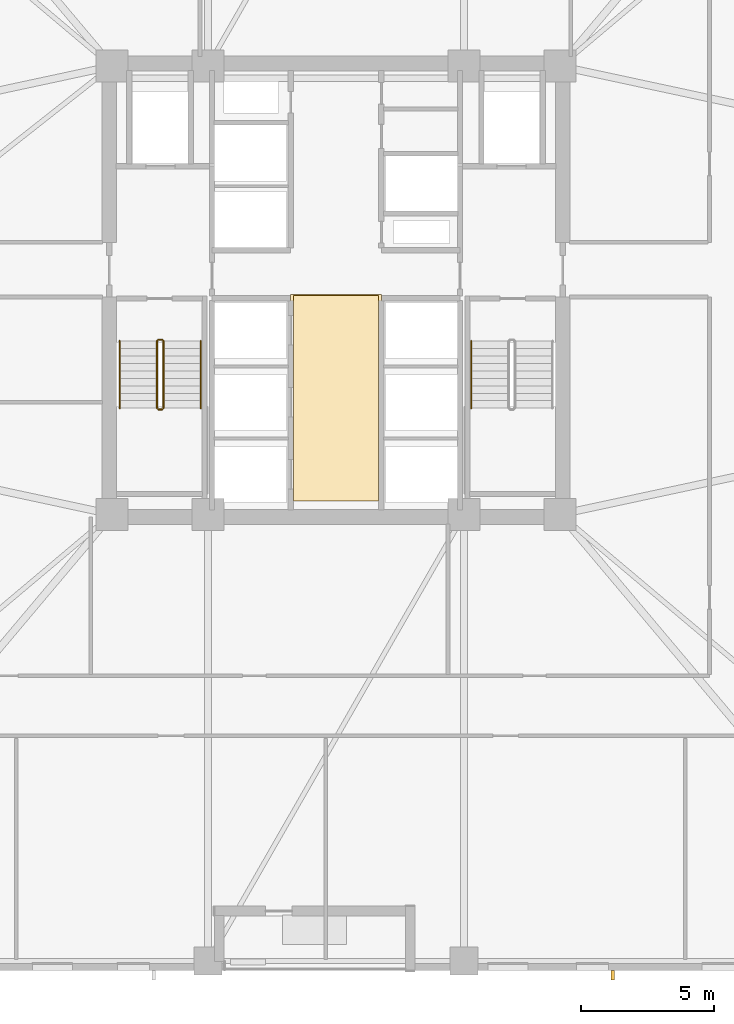
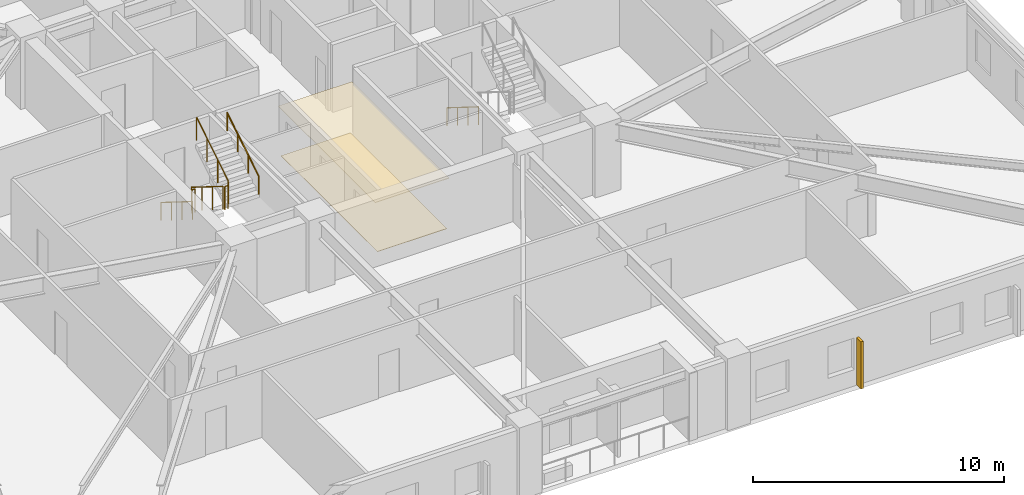
# One storey, part 8 of 11: 7 railings, 2 coverings, 1 shading device.
"""IFC4 building model written with IfcOpenShell, lengths in metres."""

from ifc_helpers import new_model, si_unit, direction, frame, origin, origin_2d, place, context, subcontext, project, spatial, polyline, rectangle, circle, outline, extrude, material, layer, layer_set, type_object, element, save


model = new_model("IFC4")

# Units and contexts
model_context = context("Model", 3, precision=1e-05, world=origin(), true_north=direction((0.0, 1.0)))
body_context = subcontext(model_context, "Body", "Model", "MODEL_VIEW")
ifc_project = project(units=[si_unit("LENGTHUNIT", "METRE"), si_unit("AREAUNIT", "SQUARE_METRE"), si_unit("VOLUMEUNIT", "CUBIC_METRE"), si_unit("PLANEANGLEUNIT", "RADIAN"), si_unit("MASSUNIT", "GRAM", prefix="KILO")], contexts=[model_context])

# Site, building, storey
site_placement = place(None, origin())
site = spatial("IfcSite", under=ifc_project, at=site_placement, CompositionType="ELEMENT")
building_placement = place(site_placement, origin())
building = spatial("IfcBuilding", under=site, at=building_placement, Name="Cairnveth Concourse Tower", CompositionType="ELEMENT")
storey_placement = place(building_placement, frame((0.0, 0.0, 34.0)))
storey = spatial("IfcBuildingStorey", under=building, at=storey_placement, Name="L08", CompositionType="ELEMENT", Elevation=34.0)

# Covering
ifc_material_1 = material(Name="Acoustic Mineral Fibre Ceiling", Category="gypsum")
ifc_layer_1 = layer(ifc_material_1, 0.02490234375)
ifc_layer_set_1 = layer_set([ifc_layer_1], Name="Acoustic Mineral Fibre Ceiling")
covering_type_1 = type_object("IfcCoveringType", Name="ACOUSTIC MINERAL FIBRE CEILING 25", PredefinedType="CEILING", material=ifc_layer_set_1)
covering_1_placement = place(storey_placement, frame((0.0, 0.0, 2.424072265625)))
element("IfcCovering", 1, at=covering_1_placement, inside=storey, type_object=covering_type_1, Name="Lift Lobby Acoustic Ceiling L08", PredefinedType="CEILING", context=body_context, shape_type="SweptSolid", body=[
    extrude(outline(polyline([(50.300048828125, 31.10009765625), (53.699951171875, 31.10009765625), (53.699951171875, 38.85009765625), (50.300048828125, 38.85009765625), (50.300048828125, 31.10009765625)])), origin(), (0.0, 0.0, 1.0), 0.02490234375),
])

# Shading device
ifc_material_2 = material(Name="Architectural Bronze Anodised Aluminium 6063-T6", Category="aluminium")
shading_device_type = type_object("IfcShadingDeviceType", Name="GOTHIC BRONZE VERTICAL LANCET FIN", PredefinedType="USERDEFINED", material=ifc_material_2)
shading_device_placement = place(storey_placement, frame((62.371337890625, 13.324951171875, 0.02978515625), z_axis=(0.0, 0.0, 1.0), x_axis=(1.0, 0.0, 0.0)))
element("IfcShadingDevice", 2, at=shading_device_placement, inside=storey, type_object=shading_device_type, Name="Gothic Bronze Vertical Fin L08-12-3", ObjectType="VERTICAL FIN", PredefinedType="USERDEFINED", context=body_context, shape_type="SweptSolid", body=[
    extrude(rectangle(XDim=0.1201171875, YDim=0.360107421875, at=origin_2d()), origin(), (0.0, 0.0, 1.0), 2.303955078125),
])

# Railings
ifc_material_3 = material(Name="Steel Grade 350", Category="steel")
railing_type_1 = type_object("IfcRailingType", Name="STAIR GUARDRAIL 1150", PredefinedType="GUARDRAIL", material=ifc_material_3)
railing_1_placement = place(storey_placement, frame((45.2900390625, 37.10009765625, 0.175048828125)))
element("IfcRailing", 3, at=railing_1_placement, inside=storey, type_object=railing_type_1, Name="L08 ST-1 stair guard 1", PredefinedType="GUARDRAIL", context=body_context, shape_type="SweptSolid", body=[
    extrude(circle(Radius=0.02392578125, at=origin_2d()), frame((0.0, 0.0, 1.1259765625), z_axis=(0.0, -0.848007534815, 0.529984170421), x_axis=(1.0, 0.0, 0.0)), (0.0, 0.0, 1.0), 2.9716796875),
    extrude(circle(Radius=0.02099609375, at=origin_2d()), origin(), (0.0, 0.0, 1.0), 1.101806640625),
    extrude(circle(Radius=0.02099609375, at=origin_2d()), frame((0.0, -0.840087890625, 0.52490234375)), (0.0, 0.0, 1.0), 1.101806640625),
    extrude(circle(Radius=0.02099609375, at=origin_2d()), frame((0.0, -1.679931640625, 1.050048828125)), (0.0, 0.0, 1.0), 1.101806640625),
    extrude(circle(Radius=0.02099609375, at=origin_2d()), frame((0.0, -2.52001953125, 1.574951171875)), (0.0, 0.0, 1.0), 1.101806640625),
])
railing_2_placement = place(storey_placement, frame((45.340087890625, 34.530029296875, 1.75)))
element("IfcRailing", 4, at=railing_2_placement, inside=storey, type_object=railing_type_1, Name="L08 ST-1 stair guard 2", PredefinedType="GUARDRAIL", context=body_context, shape_type="SweptSolid", body=[
    extrude(circle(Radius=0.02392578125, at=origin_2d()), frame((0.0, 0.0, 1.1259765625), z_axis=(1.0, 0.0, 0.0), x_axis=(0.0, 1.0, 0.0)), (0.0, 0.0, 1.0), 0.139892578125),
    extrude(circle(Radius=0.02099609375, at=origin_2d()), origin(), (0.0, 0.0, 1.0), 1.101806640625),
    extrude(circle(Radius=0.02099609375, at=origin_2d()), frame((0.139892578125, 0.0, 0.0)), (0.0, 0.0, 1.0), 1.101806640625),
])
railing_3_placement = place(storey_placement, frame((45.530029296875, 34.580078125, 1.925048828125)))
element("IfcRailing", 5, at=railing_3_placement, inside=storey, type_object=railing_type_1, Name="L08 ST-1 stair guard 3", PredefinedType="GUARDRAIL", context=body_context, shape_type="SweptSolid", body=[
    extrude(circle(Radius=0.02392578125, at=origin_2d()), frame((0.0, 0.0, 1.1259765625), z_axis=(0.0, 0.848007534815, 0.529984170421), x_axis=(-1.0, 0.0, 0.0)), (0.0, 0.0, 1.0), 2.9716796875),
    extrude(circle(Radius=0.02099609375, at=origin_2d()), origin(), (0.0, 0.0, 1.0), 1.101806640625),
    extrude(circle(Radius=0.02099609375, at=origin_2d()), frame((0.0, 0.840087890625, 0.52490234375)), (0.0, 0.0, 1.0), 1.101806640625),
    extrude(circle(Radius=0.02099609375, at=origin_2d()), frame((0.0, 1.679931640625, 1.050048828125)), (0.0, 0.0, 1.0), 1.101806640625),
    extrude(circle(Radius=0.02099609375, at=origin_2d()), frame((0.0, 2.52001953125, 1.574951171875)), (0.0, 0.0, 1.0), 1.101806640625),
])
railing_4_placement = place(storey_placement, frame((45.340087890625, 37.14990234375, 0.0)))
element("IfcRailing", 6, at=railing_4_placement, inside=storey, type_object=railing_type_1, Name="L08 ST-1 stair guard 4", PredefinedType="GUARDRAIL", context=body_context, shape_type="SweptSolid", body=[
    extrude(circle(Radius=0.02392578125, at=origin_2d()), frame((0.0, 0.0, 1.1259765625), z_axis=(1.0, 0.0, 0.0), x_axis=(0.0, 1.0, 0.0)), (0.0, 0.0, 1.0), 0.139892578125),
    extrude(circle(Radius=0.02099609375, at=origin_2d()), origin(), (0.0, 0.0, 1.0), 1.101806640625),
    extrude(circle(Radius=0.02099609375, at=origin_2d()), frame((0.139892578125, 0.0, 0.0)), (0.0, 0.0, 1.0), 1.101806640625),
])
railing_type_2 = type_object("IfcRailingType", Name="STAIR WALL HANDRAIL 900", PredefinedType="HANDRAIL", material=ifc_material_3)
railing_5_placement = place(storey_placement, frame((43.889892578125, 37.10009765625, 0.175048828125)))
element("IfcRailing", 7, at=railing_5_placement, inside=storey, type_object=railing_type_2, Name="L08 ST-1 stair handrail 1", PredefinedType="HANDRAIL", context=body_context, shape_type="SweptSolid", body=[
    extrude(circle(Radius=0.02392578125, at=origin_2d()), frame((0.0, 0.0, 0.8759765625), z_axis=(0.0, -0.848007534815, 0.529984170421), x_axis=(1.0, 0.0, 0.0)), (0.0, 0.0, 1.0), 2.9716796875),
    extrude(circle(Radius=0.02099609375, at=origin_2d()), origin(), (0.0, 0.0, 1.0), 0.851806640625),
    extrude(circle(Radius=0.02099609375, at=origin_2d()), frame((0.0, -0.840087890625, 0.52490234375)), (0.0, 0.0, 1.0), 0.851806640625),
    extrude(circle(Radius=0.02099609375, at=origin_2d()), frame((0.0, -1.679931640625, 1.050048828125)), (0.0, 0.0, 1.0), 0.851806640625),
    extrude(circle(Radius=0.02099609375, at=origin_2d()), frame((0.0, -2.52001953125, 1.574951171875)), (0.0, 0.0, 1.0), 0.851806640625),
])
railing_6_placement = place(storey_placement, frame((46.929931640625, 34.580078125, 1.925048828125)))
element("IfcRailing", 8, at=railing_6_placement, inside=storey, type_object=railing_type_2, Name="L08 ST-1 stair handrail 2", PredefinedType="HANDRAIL", context=body_context, shape_type="SweptSolid", body=[
    extrude(circle(Radius=0.02392578125, at=origin_2d()), frame((0.0, 0.0, 0.8759765625), z_axis=(0.0, 0.848007534815, 0.529984170421), x_axis=(-1.0, 0.0, 0.0)), (0.0, 0.0, 1.0), 2.9716796875),
    extrude(circle(Radius=0.02099609375, at=origin_2d()), origin(), (0.0, 0.0, 1.0), 0.851806640625),
    extrude(circle(Radius=0.02099609375, at=origin_2d()), frame((0.0, 0.840087890625, 0.52490234375)), (0.0, 0.0, 1.0), 0.851806640625),
    extrude(circle(Radius=0.02099609375, at=origin_2d()), frame((0.0, 1.679931640625, 1.050048828125)), (0.0, 0.0, 1.0), 0.851806640625),
    extrude(circle(Radius=0.02099609375, at=origin_2d()), frame((0.0, 2.52001953125, 1.574951171875)), (0.0, 0.0, 1.0), 0.851806640625),
])
railing_7_placement = place(storey_placement, frame((57.070068359375, 37.10009765625, 0.175048828125)))
element("IfcRailing", 9, at=railing_7_placement, inside=storey, type_object=railing_type_2, Name="L08 ST-2 stair handrail 1", PredefinedType="HANDRAIL", context=body_context, shape_type="SweptSolid", body=[
    extrude(circle(Radius=0.02392578125, at=origin_2d()), frame((0.0, 0.0, 0.8759765625), z_axis=(0.0, -0.848007534815, 0.529984170421), x_axis=(1.0, 0.0, 0.0)), (0.0, 0.0, 1.0), 2.9716796875),
    extrude(circle(Radius=0.02099609375, at=origin_2d()), origin(), (0.0, 0.0, 1.0), 0.851806640625),
    extrude(circle(Radius=0.02099609375, at=origin_2d()), frame((0.0, -0.840087890625, 0.52490234375)), (0.0, 0.0, 1.0), 0.851806640625),
    extrude(circle(Radius=0.02099609375, at=origin_2d()), frame((0.0, -1.679931640625, 1.050048828125)), (0.0, 0.0, 1.0), 0.851806640625),
    extrude(circle(Radius=0.02099609375, at=origin_2d()), frame((0.0, -2.52001953125, 1.574951171875)), (0.0, 0.0, 1.0), 0.851806640625),
])

# Covering
ifc_material_4 = material(Name="Vitrified Stoneware Tile Flooring", Category="masonry")
ifc_layer_2 = layer(ifc_material_4, 0.02001953125)
ifc_layer_set_2 = layer_set([ifc_layer_2], Name="Vitrified Stoneware Tile Flooring")
covering_type_2 = type_object("IfcCoveringType", Name="VITRIFIED STONEWARE LOBBY FLOORING 20", PredefinedType="FLOORING", material=ifc_layer_set_2)
covering_2_placement = place(storey_placement, origin())
element("IfcCovering", 10, at=covering_2_placement, inside=storey, type_object=covering_type_2, Name="Lift Lobby Stoneware Flooring L08", PredefinedType="FLOORING", context=body_context, shape_type="SweptSolid", body=[
    extrude(outline(polyline([(50.39990234375, 31.10009765625), (53.60009765625, 31.10009765625), (53.60009765625, 38.800048828125), (50.39990234375, 38.800048828125), (50.39990234375, 31.10009765625)])), origin(), (0.0, 0.0, 1.0), 0.02001953125),
])

save(model, "model.ifc")
